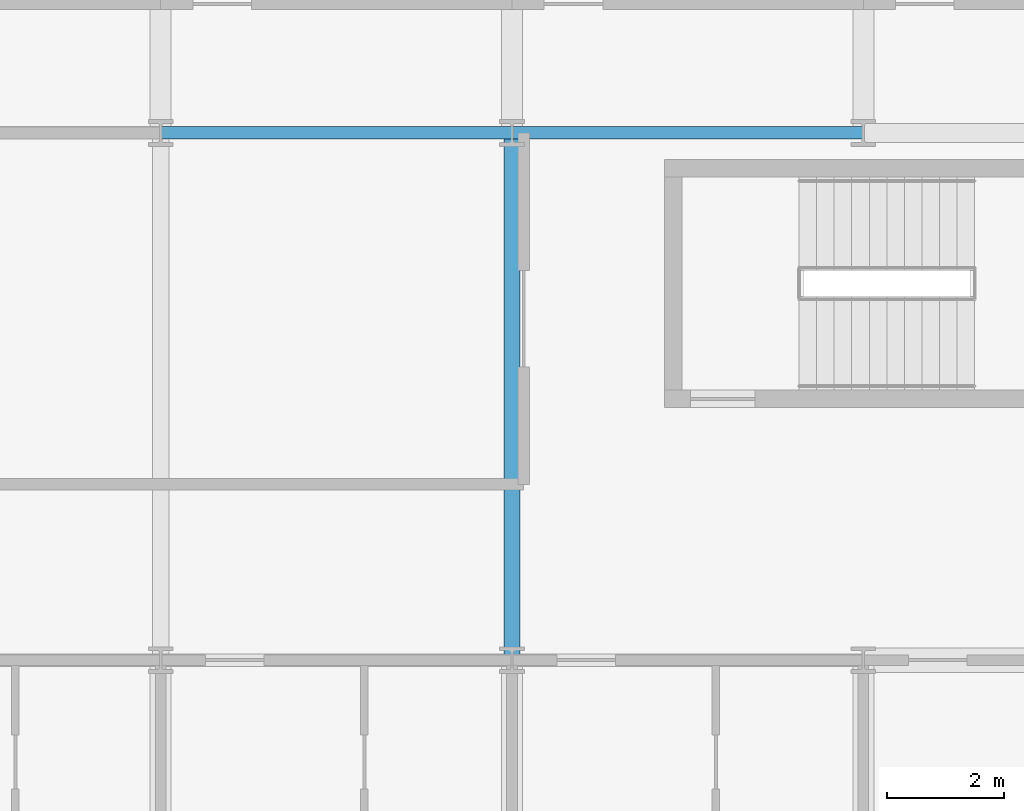
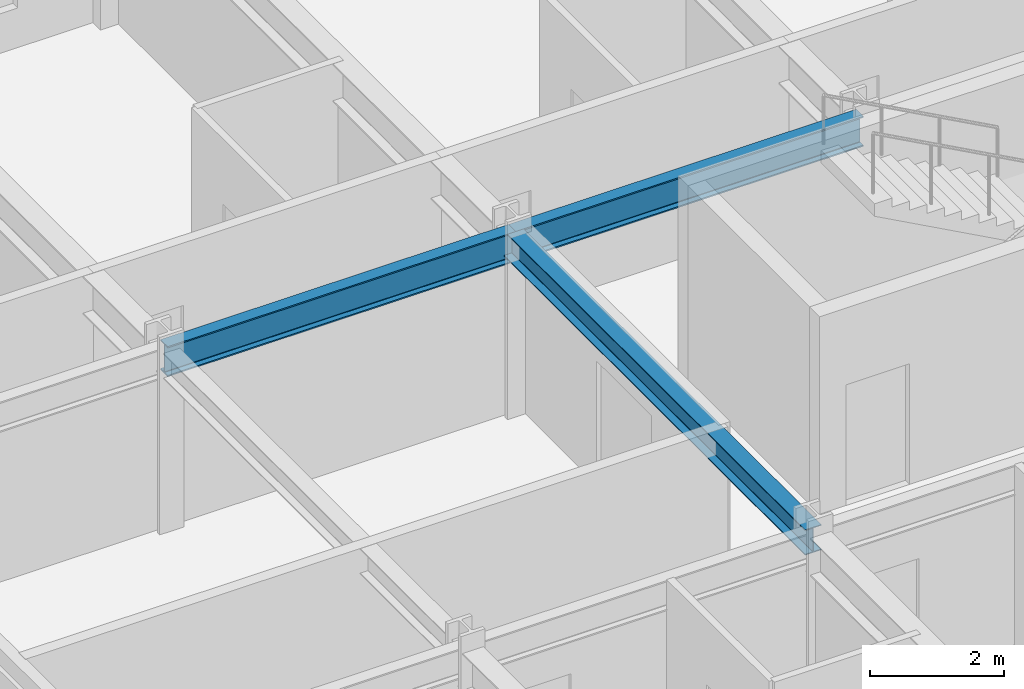
# One storey, part 7 of 26: 3 beams.
"""IFC4 building model written with IfcOpenShell, lengths in metres."""

from ifc_helpers import new_model, si_unit, direction, frame, origin, origin_2d, place, context, subcontext, project, spatial, i_section, extrude, material, material_profile, profile_set, type_object, element, save


model = new_model("IFC4")

# Units and contexts
model_context = context("Model", 3, precision=1e-05, world=origin(), true_north=direction((0.0, 1.0)))
body_context = subcontext(model_context, "Body", "Model", "MODEL_VIEW")
ifc_project = project(units=[si_unit("LENGTHUNIT", "METRE"), si_unit("AREAUNIT", "SQUARE_METRE"), si_unit("VOLUMEUNIT", "CUBIC_METRE"), si_unit("PLANEANGLEUNIT", "RADIAN"), si_unit("MASSUNIT", "GRAM", prefix="KILO")], contexts=[model_context])

# Site, building, storey
site_placement = place(None, origin())
site = spatial("IfcSite", under=ifc_project, at=site_placement, CompositionType="ELEMENT")
building_placement = place(site_placement, origin())
building = spatial("IfcBuilding", under=site, at=building_placement, Name="Kaldorvane Square Convention Centre", CompositionType="ELEMENT")
storey_placement = place(building_placement, frame((0.0, 0.0, 42.0)))
storey = spatial("IfcBuildingStorey", under=building, at=storey_placement, Name="L09", CompositionType="ELEMENT", Elevation=42.0)

# Beams
ifc_material = material(Name="Steel ASTM A992 Gr. 50", Category="steel")
ifc_material_profile_1 = material_profile(ifc_material, i_section(OverallWidth=0.213897705078125, OverallDepth=0.549102783203125, WebThickness=0.0146942138671875, FlangeThickness=0.0236053466796875, FilletRadius=0.0126953125, at=origin_2d()), Name="W21X93")
ifc_profile_set_1 = profile_set([ifc_material_profile_1], Name="Steel ASTM A992 Gr. 50")
beam_type_1 = type_object("IfcBeamType", Name="BM-GR-W21X93", PredefinedType="BEAM", material=ifc_profile_set_1)
for number, where, z_axis, x_axis, name in (
    (1, (30.0, 105.0, 3.011505126953125), (1.0, 0.0, 0.0), (0.0, 1.0, 0.0), "Primary Girder (L09)"),
    (2, (36.0, 105.0, 3.011505126953125), (1.0, 0.0, 0.0), (0.0, 1.0, 0.0), "Primary Girder (L09)"),
):
    element("IfcBeam", number, at=place(storey_placement, frame(where, z_axis=z_axis, x_axis=x_axis)), inside=storey, type_object=beam_type_1, Name=name, PredefinedType="BEAM", context=body_context, shape_type="SweptSolid", body=[
        extrude(i_section(OverallWidth=0.213897705078125, OverallDepth=0.549102783203125, WebThickness=0.0146942138671875, FlangeThickness=0.0236053466796875, FilletRadius=0.0126953125, at=origin_2d()), origin(), (0.0, 0.0, 1.0), 6.0),
    ])
ifc_material_profile_2 = material_profile(ifc_material, i_section(OverallWidth=0.2799072265625, OverallDepth=0.462799072265625, WebThickness=0.01080322265625, FlangeThickness=0.017303466796875, FilletRadius=0.01019287109375, at=origin_2d()), Name="W18X76")
ifc_profile_set_2 = profile_set([ifc_material_profile_2], Name="Steel ASTM A992 Gr. 50")
beam_type_2 = type_object("IfcBeamType", Name="BM-JS-W18X76", PredefinedType="JOIST", material=ifc_profile_set_2)
beam_placement = place(storey_placement, frame((36.0, 96.0, 3.054595947265625), z_axis=(0.0, 1.0, 0.0), x_axis=(-1.0, 0.0, 0.0)))
element("IfcBeam", 3, at=beam_placement, inside=storey, type_object=beam_type_2, Name="Transverse Girder (L09)", PredefinedType="JOIST", context=body_context, shape_type="SweptSolid", body=[
    extrude(i_section(OverallWidth=0.2799072265625, OverallDepth=0.462799072265625, WebThickness=0.01080322265625, FlangeThickness=0.017303466796875, FilletRadius=0.01019287109375, at=origin_2d()), origin(), (0.0, 0.0, 1.0), 9.0),
])

save(model, "model.ifc")
